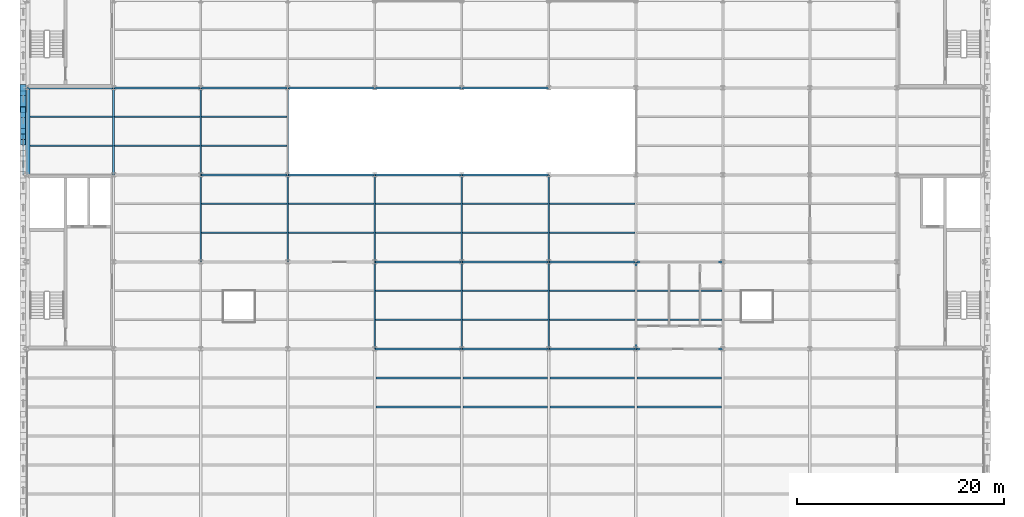
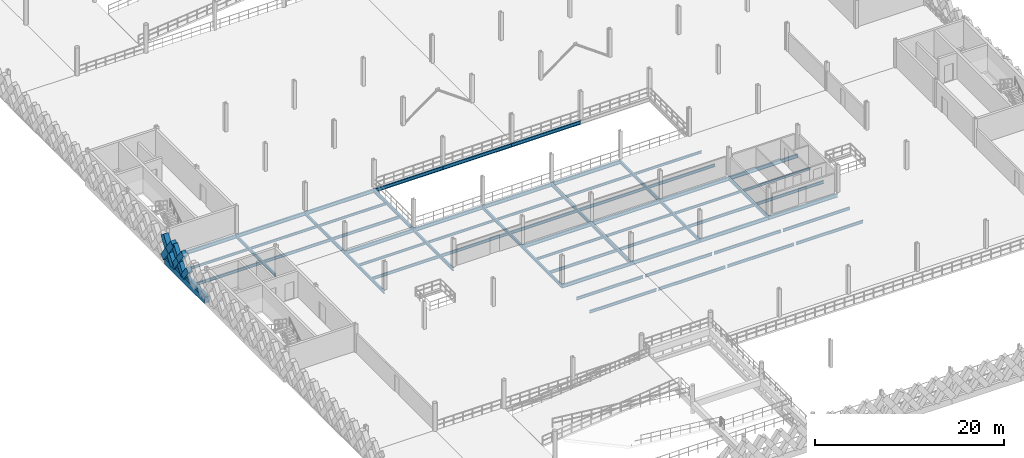
# One storey, part 18 of 62: 63 beams, 8 members.
"""IFC4 building model written with IfcOpenShell, lengths in metres."""

from ifc_helpers import new_model, si_unit, direction, frame, origin, origin_2d, place, context, subcontext, project, spatial, rectangle, hollow_rectangle, i_section, extrude, material, material_profile, profile_set, type_object, element, save


model = new_model("IFC4")

# Units and contexts
model_context = context("Model", 3, precision=1e-05, world=origin(), true_north=direction((0.0, 1.0)))
body_context = subcontext(model_context, "Body", "Model", "MODEL_VIEW")
ifc_project = project(units=[si_unit("LENGTHUNIT", "METRE"), si_unit("AREAUNIT", "SQUARE_METRE"), si_unit("VOLUMEUNIT", "CUBIC_METRE"), si_unit("PLANEANGLEUNIT", "RADIAN"), si_unit("MASSUNIT", "GRAM", prefix="KILO"), si_unit("THERMODYNAMICTEMPERATUREUNIT", "KELVIN"), si_unit("POWERUNIT", "WATT")], contexts=[model_context])

# Site, building, storey
site_placement = place(None, origin())
site = spatial("IfcSite", under=ifc_project, at=site_placement, CompositionType="ELEMENT")
building_placement = place(site_placement, origin())
building = spatial("IfcBuilding", under=site, at=building_placement, Name="Tembeka Court Mobility Hub", CompositionType="ELEMENT")
storey_placement = place(building_placement, frame((0.0, 0.0, 16.199951171875)))
storey = spatial("IfcBuildingStorey", under=building, at=storey_placement, Name="L04", CompositionType="ELEMENT", Elevation=16.199951171875)

# Beams
ifc_material_1 = material(Name="Steel S355", Category="steel")
ifc_material_profile_1 = material_profile(ifc_material_1, i_section(OverallWidth=0.18994140625, OverallDepth=0.45703125, WebThickness=0.009033203125, FlangeThickness=0.014404296875, FilletRadius=0.01025390625, at=origin_2d()), Name="UKB 457x191x74")
ifc_profile_set_1 = profile_set([ifc_material_profile_1], Name="Steel S355")
beam_type_1 = type_object("IfcBeamType", Name="BM-B01", PredefinedType="BEAM", material=ifc_profile_set_1)
for number, where, z_axis, x_axis, name in (
    (1, (33.60009765625, 38.39990234375, -0.448486328125), (1.0, 0.0, 0.0), (0.0, 1.0, 0.0), "Beam B01 (BM-L04-X2225)"),
    (2, (42.0, 38.39990234375, -0.448486328125), (1.0, 0.0, 0.0), (0.0, 1.0, 0.0), "Beam B01 (BM-L04-X2226)"),
):
    element("IfcBeam", number, at=place(storey_placement, frame(where, z_axis=z_axis, x_axis=x_axis)), inside=storey, type_object=beam_type_1, Name=name, PredefinedType="BEAM", context=body_context, shape_type="SweptSolid", body=[
        extrude(i_section(OverallWidth=0.18994140625, OverallDepth=0.45703125, WebThickness=0.009033203125, FlangeThickness=0.014404296875, FilletRadius=0.01025390625, at=origin_2d()), origin(), (0.0, 0.0, 1.0), 8.39990234375),
    ])
beam_1_placement = place(storey_placement, frame((50.39990234375, 38.39990234375, -0.448486328125), z_axis=(1.0, 0.0, 0.0), x_axis=(0.0, 1.0, 0.0)))
element("IfcBeam", 3, at=beam_1_placement, inside=storey, type_object=beam_type_1, Name="Beam B01 (BM-L04-X2227)", PredefinedType="BEAM", context=body_context, shape_type="SweptSolid", body=[
    extrude(i_section(OverallWidth=0.18994140625, OverallDepth=0.45703125, WebThickness=0.009033203125, FlangeThickness=0.014404296875, FilletRadius=0.01025390625, at=origin_2d()), origin(), (0.0, 0.0, 1.0), 8.400146484375),
])
for number, where, z_axis, x_axis, name in (
    (4, (58.800048828125, 38.39990234375, -0.448486328125), (1.0, 0.0, 0.0), (0.0, 1.0, 0.0), "Beam B01 (BM-L04-X2228)"),
    (5, (33.60009765625, 46.800048828125, -0.448486328125), (1.0, 0.0, 0.0), (0.0, 1.0, 0.0), "Beam B01 (BM-L04-X2237)"),
    (6, (42.0, 46.800048828125, -0.448486328125), (1.0, 0.0, 0.0), (0.0, 1.0, 0.0), "Beam B01 (BM-L04-X2238)"),
):
    element("IfcBeam", number, at=place(storey_placement, frame(where, z_axis=z_axis, x_axis=x_axis)), inside=storey, type_object=beam_type_1, Name=name, PredefinedType="BEAM", context=body_context, shape_type="SweptSolid", body=[
        extrude(i_section(OverallWidth=0.18994140625, OverallDepth=0.45703125, WebThickness=0.009033203125, FlangeThickness=0.014404296875, FilletRadius=0.01025390625, at=origin_2d()), origin(), (0.0, 0.0, 1.0), 8.39990234375),
    ])
beam_2_placement = place(storey_placement, frame((50.39990234375, 46.800048828125, -0.448486328125), z_axis=(1.0, 0.0, 0.0), x_axis=(0.0, 1.0, 0.0)))
element("IfcBeam", 7, at=beam_2_placement, inside=storey, type_object=beam_type_1, Name="Beam B01 (BM-L04-X2239)", PredefinedType="BEAM", context=body_context, shape_type="SweptSolid", body=[
    extrude(i_section(OverallWidth=0.18994140625, OverallDepth=0.45703125, WebThickness=0.009033203125, FlangeThickness=0.014404296875, FilletRadius=0.01025390625, at=origin_2d()), origin(), (0.0, 0.0, 1.0), 8.400146484375),
])
for number, where, z_axis, x_axis, name in (
    (8, (58.800048828125, 46.800048828125, -0.448486328125), (1.0, 0.0, 0.0), (0.0, 1.0, 0.0), "Beam B01 (BM-L04-X2240)"),
    (9, (16.800048828125, 55.199951171875, -0.448486328125), (1.0, 0.0, 0.0), (0.0, 1.0, 0.0), "Beam B01 (BM-L04-X2247)"),
):
    element("IfcBeam", number, at=place(storey_placement, frame(where, z_axis=z_axis, x_axis=x_axis)), inside=storey, type_object=beam_type_1, Name=name, PredefinedType="BEAM", context=body_context, shape_type="SweptSolid", body=[
        extrude(i_section(OverallWidth=0.18994140625, OverallDepth=0.45703125, WebThickness=0.009033203125, FlangeThickness=0.014404296875, FilletRadius=0.01025390625, at=origin_2d()), origin(), (0.0, 0.0, 1.0), 8.39990234375),
    ])
beam_3_placement = place(storey_placement, frame((25.199951171875, 55.199951171875, -0.448486328125), z_axis=(1.0, 0.0, 0.0), x_axis=(0.0, 1.0, 0.0)))
element("IfcBeam", 10, at=beam_3_placement, inside=storey, type_object=beam_type_1, Name="Beam B01 (BM-L04-X2248)", PredefinedType="BEAM", context=body_context, shape_type="SweptSolid", body=[
    extrude(i_section(OverallWidth=0.18994140625, OverallDepth=0.45703125, WebThickness=0.009033203125, FlangeThickness=0.014404296875, FilletRadius=0.01025390625, at=origin_2d()), origin(), (0.0, 0.0, 1.0), 8.400146484375),
])
for number, where, z_axis, x_axis, name in (
    (11, (33.60009765625, 55.199951171875, -0.448486328125), (1.0, 0.0, 0.0), (0.0, 1.0, 0.0), "Beam B01 (BM-L04-X2249)"),
    (12, (42.0, 55.199951171875, -0.448486328125), (1.0, 0.0, 0.0), (0.0, 1.0, 0.0), "Beam B01 (BM-L04-X2250)"),
    (13, (0.0, 63.60009765625, -0.448486328125), (1.0, 0.0, 0.0), (0.0, 1.0, 0.0), "Beam B01 (BM-L04-X2257)"),
):
    element("IfcBeam", number, at=place(storey_placement, frame(where, z_axis=z_axis, x_axis=x_axis)), inside=storey, type_object=beam_type_1, Name=name, PredefinedType="BEAM", context=body_context, shape_type="SweptSolid", body=[
        extrude(i_section(OverallWidth=0.18994140625, OverallDepth=0.45703125, WebThickness=0.009033203125, FlangeThickness=0.014404296875, FilletRadius=0.01025390625, at=origin_2d()), origin(), (0.0, 0.0, 1.0), 8.39990234375),
    ])
beam_4_placement = place(storey_placement, frame((8.39990234375, 63.60009765625, -0.448486328125), z_axis=(1.0, 0.0, 0.0), x_axis=(0.0, 1.0, 0.0)))
element("IfcBeam", 14, at=beam_4_placement, inside=storey, type_object=beam_type_1, Name="Beam B01 (BM-L04-X2258)", PredefinedType="BEAM", context=body_context, shape_type="SweptSolid", body=[
    extrude(i_section(OverallWidth=0.18994140625, OverallDepth=0.45703125, WebThickness=0.009033203125, FlangeThickness=0.014404296875, FilletRadius=0.01025390625, at=origin_2d()), origin(), (0.0, 0.0, 1.0), 8.400146484375),
])
beam_5_placement = place(storey_placement, frame((16.800048828125, 63.60009765625, -0.448486328125), z_axis=(1.0, 0.0, 0.0), x_axis=(0.0, 1.0, 0.0)))
element("IfcBeam", 15, at=beam_5_placement, inside=storey, type_object=beam_type_1, Name="Beam B01 (BM-L04-X2259)", PredefinedType="BEAM", context=body_context, shape_type="SweptSolid", body=[
    extrude(i_section(OverallWidth=0.18994140625, OverallDepth=0.45703125, WebThickness=0.009033203125, FlangeThickness=0.014404296875, FilletRadius=0.01025390625, at=origin_2d()), origin(), (0.0, 0.0, 1.0), 8.39990234375),
])
beam_6_placement = place(storey_placement, frame((25.199951171875, 63.60009765625, -0.448486328125), z_axis=(1.0, 0.0, 0.0), x_axis=(0.0, 1.0, 0.0)))
element("IfcBeam", 16, at=beam_6_placement, inside=storey, type_object=beam_type_1, Name="Beam B01 (BM-L04-X2260)", PredefinedType="BEAM", context=body_context, shape_type="SweptSolid", body=[
    extrude(i_section(OverallWidth=0.18994140625, OverallDepth=0.45703125, WebThickness=0.009033203125, FlangeThickness=0.014404296875, FilletRadius=0.01025390625, at=origin_2d()), origin(), (0.0, 0.0, 1.0), 8.400146484375),
])
for number, where, z_axis, x_axis, name in (
    (17, (33.60009765625, 63.60009765625, -0.448486328125), (1.0, 0.0, 0.0), (0.0, 1.0, 0.0), "Beam B01 (BM-L04-X2261)"),
    (18, (42.0, 63.60009765625, -0.448486328125), (1.0, 0.0, 0.0), (0.0, 1.0, 0.0), "Beam B01 (BM-L04-X2262)"),
):
    element("IfcBeam", number, at=place(storey_placement, frame(where, z_axis=z_axis, x_axis=x_axis)), inside=storey, type_object=beam_type_1, Name=name, PredefinedType="BEAM", context=body_context, shape_type="SweptSolid", body=[
        extrude(i_section(OverallWidth=0.18994140625, OverallDepth=0.45703125, WebThickness=0.009033203125, FlangeThickness=0.014404296875, FilletRadius=0.01025390625, at=origin_2d()), origin(), (0.0, 0.0, 1.0), 8.39990234375),
    ])
ifc_material_profile_2 = material_profile(ifc_material_1, i_section(OverallWidth=0.177978515625, OverallDepth=0.406005859375, WebThickness=0.0078125, FlangeThickness=0.0126953125, FilletRadius=0.01025390625, at=origin_2d()), Name="UKB 406x178x60")
ifc_profile_set_2 = profile_set([ifc_material_profile_2], Name="Steel S355")
beam_type_2 = type_object("IfcBeamType", Name="BM-B02", PredefinedType="BEAM", material=ifc_profile_set_2)
beam_7_placement = place(storey_placement, frame((8.39990234375, 55.199951171875, -0.4228515625), z_axis=(0.0, 1.0, 0.0), x_axis=(-1.0, 0.0, 0.0)))
element("IfcBeam", 19, at=beam_7_placement, inside=storey, type_object=beam_type_2, Name="Beam B02 (BM-L04-Y2329)", PredefinedType="BEAM", context=body_context, shape_type="SweptSolid", body=[
    extrude(i_section(OverallWidth=0.177978515625, OverallDepth=0.406005859375, WebThickness=0.0078125, FlangeThickness=0.0126953125, FilletRadius=0.01025390625, at=origin_2d()), origin(), (0.0, 0.0, 1.0), 8.400146484375),
])
beam_8_placement = place(storey_placement, frame((16.800048828125, 46.800048828125, -0.4228515625), z_axis=(0.0, 1.0, 0.0), x_axis=(-1.0, 0.0, 0.0)))
element("IfcBeam", 20, at=beam_8_placement, inside=storey, type_object=beam_type_2, Name="Beam B02 (BM-L04-Y2339)", PredefinedType="BEAM", context=body_context, shape_type="SweptSolid", body=[
    extrude(i_section(OverallWidth=0.177978515625, OverallDepth=0.406005859375, WebThickness=0.0078125, FlangeThickness=0.0126953125, FilletRadius=0.01025390625, at=origin_2d()), origin(), (0.0, 0.0, 1.0), 8.39990234375),
])
beam_9_placement = place(storey_placement, frame((16.800048828125, 55.199951171875, -0.4228515625), z_axis=(0.0, 1.0, 0.0), x_axis=(-1.0, 0.0, 0.0)))
element("IfcBeam", 21, at=beam_9_placement, inside=storey, type_object=beam_type_2, Name="Beam B02 (BM-L04-Y2340)", PredefinedType="BEAM", context=body_context, shape_type="SweptSolid", body=[
    extrude(i_section(OverallWidth=0.177978515625, OverallDepth=0.406005859375, WebThickness=0.0078125, FlangeThickness=0.0126953125, FilletRadius=0.01025390625, at=origin_2d()), origin(), (0.0, 0.0, 1.0), 8.400146484375),
])
beam_10_placement = place(storey_placement, frame((25.199951171875, 46.800048828125, -0.4228515625), z_axis=(0.0, 1.0, 0.0), x_axis=(-1.0, 0.0, 0.0)))
element("IfcBeam", 22, at=beam_10_placement, inside=storey, type_object=beam_type_2, Name="Beam B02 (BM-L04-Y2348)", PredefinedType="BEAM", context=body_context, shape_type="SweptSolid", body=[
    extrude(i_section(OverallWidth=0.177978515625, OverallDepth=0.406005859375, WebThickness=0.0078125, FlangeThickness=0.0126953125, FilletRadius=0.01025390625, at=origin_2d()), origin(), (0.0, 0.0, 1.0), 8.39990234375),
])
for number, where, z_axis, x_axis, name in (
    (23, (25.199951171875, 55.199951171875, -0.4228515625), (0.0, 1.0, 0.0), (-1.0, 0.0, 0.0), "Beam B02 (BM-L04-Y2349)"),
    (24, (33.60009765625, 38.39990234375, -0.4228515625), (0.0, 1.0, 0.0), (-1.0, 0.0, 0.0), "Beam B02 (BM-L04-Y2354)"),
):
    element("IfcBeam", number, at=place(storey_placement, frame(where, z_axis=z_axis, x_axis=x_axis)), inside=storey, type_object=beam_type_2, Name=name, PredefinedType="BEAM", context=body_context, shape_type="SweptSolid", body=[
        extrude(i_section(OverallWidth=0.177978515625, OverallDepth=0.406005859375, WebThickness=0.0078125, FlangeThickness=0.0126953125, FilletRadius=0.01025390625, at=origin_2d()), origin(), (0.0, 0.0, 1.0), 8.400146484375),
    ])
beam_11_placement = place(storey_placement, frame((33.60009765625, 46.800048828125, -0.4228515625), z_axis=(0.0, 1.0, 0.0), x_axis=(-1.0, 0.0, 0.0)))
element("IfcBeam", 25, at=beam_11_placement, inside=storey, type_object=beam_type_2, Name="Beam B02 (BM-L04-Y2355)", PredefinedType="BEAM", context=body_context, shape_type="SweptSolid", body=[
    extrude(i_section(OverallWidth=0.177978515625, OverallDepth=0.406005859375, WebThickness=0.0078125, FlangeThickness=0.0126953125, FilletRadius=0.01025390625, at=origin_2d()), origin(), (0.0, 0.0, 1.0), 8.39990234375),
])
beam_12_placement = place(storey_placement, frame((42.0, 38.39990234375, -0.4228515625), z_axis=(0.0, 1.0, 0.0), x_axis=(-1.0, 0.0, 0.0)))
element("IfcBeam", 26, at=beam_12_placement, inside=storey, type_object=beam_type_2, Name="Beam B02 (BM-L04-Y2362)", PredefinedType="BEAM", context=body_context, shape_type="SweptSolid", body=[
    extrude(i_section(OverallWidth=0.177978515625, OverallDepth=0.406005859375, WebThickness=0.0078125, FlangeThickness=0.0126953125, FilletRadius=0.01025390625, at=origin_2d()), origin(), (0.0, 0.0, 1.0), 8.400146484375),
])
beam_13_placement = place(storey_placement, frame((42.0, 46.800048828125, -0.4228515625), z_axis=(0.0, 1.0, 0.0), x_axis=(-1.0, 0.0, 0.0)))
element("IfcBeam", 27, at=beam_13_placement, inside=storey, type_object=beam_type_2, Name="Beam B02 (BM-L04-Y2363)", PredefinedType="BEAM", context=body_context, shape_type="SweptSolid", body=[
    extrude(i_section(OverallWidth=0.177978515625, OverallDepth=0.406005859375, WebThickness=0.0078125, FlangeThickness=0.0126953125, FilletRadius=0.01025390625, at=origin_2d()), origin(), (0.0, 0.0, 1.0), 8.39990234375),
])
beam_14_placement = place(storey_placement, frame((50.39990234375, 38.39990234375, -0.4228515625), z_axis=(0.0, 1.0, 0.0), x_axis=(-1.0, 0.0, 0.0)))
element("IfcBeam", 28, at=beam_14_placement, inside=storey, type_object=beam_type_2, Name="Beam B02 (BM-L04-Y2370)", PredefinedType="BEAM", context=body_context, shape_type="SweptSolid", body=[
    extrude(i_section(OverallWidth=0.177978515625, OverallDepth=0.406005859375, WebThickness=0.0078125, FlangeThickness=0.0126953125, FilletRadius=0.01025390625, at=origin_2d()), origin(), (0.0, 0.0, 1.0), 8.400146484375),
])
beam_15_placement = place(storey_placement, frame((50.39990234375, 46.800048828125, -0.4228515625), z_axis=(0.0, 1.0, 0.0), x_axis=(-1.0, 0.0, 0.0)))
element("IfcBeam", 29, at=beam_15_placement, inside=storey, type_object=beam_type_2, Name="Beam B02 (BM-L04-Y2371)", PredefinedType="BEAM", context=body_context, shape_type="SweptSolid", body=[
    extrude(i_section(OverallWidth=0.177978515625, OverallDepth=0.406005859375, WebThickness=0.0078125, FlangeThickness=0.0126953125, FilletRadius=0.01025390625, at=origin_2d()), origin(), (0.0, 0.0, 1.0), 8.39990234375),
])
beam_16_placement = place(storey_placement, frame((58.800048828125, 38.39990234375, -0.4228515625), z_axis=(0.0, 1.0, 0.0), x_axis=(-1.0, 0.0, 0.0)))
element("IfcBeam", 30, at=beam_16_placement, inside=storey, type_object=beam_type_2, Name="Beam B02 (BM-L04-Y2376)", PredefinedType="BEAM", context=body_context, shape_type="SweptSolid", body=[
    extrude(i_section(OverallWidth=0.177978515625, OverallDepth=0.406005859375, WebThickness=0.0078125, FlangeThickness=0.0126953125, FilletRadius=0.01025390625, at=origin_2d()), origin(), (0.0, 0.0, 1.0), 8.400146484375),
])
ifc_material_profile_3 = material_profile(ifc_material_1, i_section(OverallWidth=0.172119140625, OverallDepth=0.35498046875, WebThickness=0.00732421875, FlangeThickness=0.011474609375, FilletRadius=0.01025390625, at=origin_2d()), Name="UKB 356x171x51")
ifc_profile_set_3 = profile_set([ifc_material_profile_3], Name="Steel S355")
beam_type_3 = type_object("IfcBeamType", Name="BM-J01", PredefinedType="JOIST", material=ifc_profile_set_3)
for number, where, z_axis, x_axis, name in (
    (31, (33.721923828125, 32.800048828125, -0.3974609375), (1.0, 0.0, 0.0), (0.0, 1.0, 0.0), "Beam J01 (JST-L04-2511)"),
    (32, (33.721923828125, 35.60009765625, -0.3974609375), (1.0, 0.0, 0.0), (0.0, 1.0, 0.0), "Beam J01 (JST-L04-2512)"),
    (33, (42.1220703125, 32.800048828125, -0.3974609375), (1.0, 0.0, 0.0), (0.0, 1.0, 0.0), "Beam J01 (JST-L04-2529)"),
    (34, (42.1220703125, 35.60009765625, -0.3974609375), (1.0, 0.0, 0.0), (0.0, 1.0, 0.0), "Beam J01 (JST-L04-2530)"),
    (35, (50.52197265625, 32.800048828125, -0.3974609375), (1.0, 0.0, 0.0), (0.0, 1.0, 0.0), "Beam J01 (JST-L04-2547)"),
    (36, (50.52197265625, 35.60009765625, -0.3974609375), (1.0, 0.0, 0.0), (0.0, 1.0, 0.0), "Beam J01 (JST-L04-2548)"),
):
    element("IfcBeam", number, at=place(storey_placement, frame(where, z_axis=z_axis, x_axis=x_axis)), inside=storey, type_object=beam_type_3, Name=name, PredefinedType="JOIST", context=body_context, shape_type="SweptSolid", body=[
        extrude(i_section(OverallWidth=0.172119140625, OverallDepth=0.35498046875, WebThickness=0.00732421875, FlangeThickness=0.011474609375, FilletRadius=0.01025390625, at=origin_2d()), origin(), (0.0, 0.0, 1.0), 8.156005859375),
    ])
for number, where, z_axis, x_axis, name in (
    (37, (58.922119140625, 32.800048828125, -0.3974609375), (1.0, 0.0, 0.0), (0.0, 1.0, 0.0), "Beam J01 (JST-L04-2565)"),
    (38, (58.922119140625, 35.60009765625, -0.3974609375), (1.0, 0.0, 0.0), (0.0, 1.0, 0.0), "Beam J01 (JST-L04-2566)"),
):
    element("IfcBeam", number, at=place(storey_placement, frame(where, z_axis=z_axis, x_axis=x_axis)), inside=storey, type_object=beam_type_3, Name=name, PredefinedType="JOIST", context=body_context, shape_type="SweptSolid", body=[
        extrude(i_section(OverallWidth=0.172119140625, OverallDepth=0.35498046875, WebThickness=0.00732421875, FlangeThickness=0.011474609375, FilletRadius=0.01025390625, at=origin_2d()), origin(), (0.0, 0.0, 1.0), 8.15576171875),
    ])
ifc_material_profile_4 = material_profile(ifc_material_1, i_section(OverallWidth=0.1650390625, OverallDepth=0.303955078125, WebThickness=0.006103515625, FlangeThickness=0.01025390625, FilletRadius=0.0087890625, at=origin_2d()), Name="UKB 305x165x40")
ifc_profile_set_4 = profile_set([ifc_material_profile_4], Name="Steel S355")
beam_type_4 = type_object("IfcBeamType", Name="BM-J02", PredefinedType="JOIST", material=ifc_profile_set_4)
beam_17_placement = place(storey_placement, frame((0.320068359375, 60.800048828125, -0.3720703125), z_axis=(1.0, 0.0, 0.0), x_axis=(0.0, 1.0, 0.0)))
element("IfcBeam", 39, at=beam_17_placement, inside=storey, type_object=beam_type_4, Name="Beam J02 (JST-L04-2444)", PredefinedType="JOIST", context=body_context, shape_type="SweptSolid", body=[
    extrude(i_section(OverallWidth=0.1650390625, OverallDepth=0.303955078125, WebThickness=0.006103515625, FlangeThickness=0.01025390625, FilletRadius=0.0087890625, at=origin_2d()), origin(), (0.0, 0.0, 1.0), 7.995849609375),
])
beam_18_placement = place(storey_placement, frame((8.48388671875, 60.800048828125, -0.3720703125), z_axis=(1.0, 0.0, 0.0), x_axis=(0.0, 1.0, 0.0)))
element("IfcBeam", 40, at=beam_18_placement, inside=storey, type_object=beam_type_4, Name="Beam J02 (JST-L04-2460)", PredefinedType="JOIST", context=body_context, shape_type="SweptSolid", body=[
    extrude(i_section(OverallWidth=0.1650390625, OverallDepth=0.303955078125, WebThickness=0.006103515625, FlangeThickness=0.01025390625, FilletRadius=0.0087890625, at=origin_2d()), origin(), (0.0, 0.0, 1.0), 8.232177734375),
])
for number, where, z_axis, x_axis, name in (
    (41, (16.884033203125, 52.39990234375, -0.3720703125), (1.0, 0.0, 0.0), (0.0, 1.0, 0.0), "Beam J02 (JST-L04-2478)"),
    (42, (16.884033203125, 60.800048828125, -0.3720703125), (1.0, 0.0, 0.0), (0.0, 1.0, 0.0), "Beam J02 (JST-L04-2480)"),
):
    element("IfcBeam", number, at=place(storey_placement, frame(where, z_axis=z_axis, x_axis=x_axis)), inside=storey, type_object=beam_type_4, Name=name, PredefinedType="JOIST", context=body_context, shape_type="SweptSolid", body=[
        extrude(i_section(OverallWidth=0.1650390625, OverallDepth=0.303955078125, WebThickness=0.006103515625, FlangeThickness=0.01025390625, FilletRadius=0.0087890625, at=origin_2d()), origin(), (0.0, 0.0, 1.0), 8.23193359375),
    ])
beam_19_placement = place(storey_placement, frame((25.283935546875, 52.39990234375, -0.3720703125), z_axis=(1.0, 0.0, 0.0), x_axis=(0.0, 1.0, 0.0)))
element("IfcBeam", 43, at=beam_19_placement, inside=storey, type_object=beam_type_4, Name="Beam J02 (JST-L04-2498)", PredefinedType="JOIST", context=body_context, shape_type="SweptSolid", body=[
    extrude(i_section(OverallWidth=0.1650390625, OverallDepth=0.303955078125, WebThickness=0.006103515625, FlangeThickness=0.01025390625, FilletRadius=0.0087890625, at=origin_2d()), origin(), (0.0, 0.0, 1.0), 8.232177734375),
])
for number, where, z_axis, x_axis, name in (
    (44, (33.68408203125, 44.0, -0.3720703125), (1.0, 0.0, 0.0), (0.0, 1.0, 0.0), "Beam J02 (JST-L04-2514)"),
    (45, (33.68408203125, 52.39990234375, -0.3720703125), (1.0, 0.0, 0.0), (0.0, 1.0, 0.0), "Beam J02 (JST-L04-2516)"),
    (46, (42.083984375, 44.0, -0.3720703125), (1.0, 0.0, 0.0), (0.0, 1.0, 0.0), "Beam J02 (JST-L04-2532)"),
    (47, (42.083984375, 52.39990234375, -0.3720703125), (1.0, 0.0, 0.0), (0.0, 1.0, 0.0), "Beam J02 (JST-L04-2534)"),
):
    element("IfcBeam", number, at=place(storey_placement, frame(where, z_axis=z_axis, x_axis=x_axis)), inside=storey, type_object=beam_type_4, Name=name, PredefinedType="JOIST", context=body_context, shape_type="SweptSolid", body=[
        extrude(i_section(OverallWidth=0.1650390625, OverallDepth=0.303955078125, WebThickness=0.006103515625, FlangeThickness=0.01025390625, FilletRadius=0.0087890625, at=origin_2d()), origin(), (0.0, 0.0, 1.0), 8.23193359375),
    ])
for number, where, z_axis, x_axis, name in (
    (48, (50.48388671875, 44.0, -0.3720703125), (1.0, 0.0, 0.0), (0.0, 1.0, 0.0), "Beam J02 (JST-L04-2550)"),
    (49, (50.48388671875, 52.39990234375, -0.3720703125), (1.0, 0.0, 0.0), (0.0, 1.0, 0.0), "Beam J02 (JST-L04-2552)"),
):
    element("IfcBeam", number, at=place(storey_placement, frame(where, z_axis=z_axis, x_axis=x_axis)), inside=storey, type_object=beam_type_4, Name=name, PredefinedType="JOIST", context=body_context, shape_type="SweptSolid", body=[
        extrude(i_section(OverallWidth=0.1650390625, OverallDepth=0.303955078125, WebThickness=0.006103515625, FlangeThickness=0.01025390625, FilletRadius=0.0087890625, at=origin_2d()), origin(), (0.0, 0.0, 1.0), 8.232177734375),
    ])
beam_20_placement = place(storey_placement, frame((58.884033203125, 44.0, -0.3720703125), z_axis=(1.0, 0.0, 0.0), x_axis=(0.0, 1.0, 0.0)))
element("IfcBeam", 50, at=beam_20_placement, inside=storey, type_object=beam_type_4, Name="Beam J02 (JST-L04-2568)", PredefinedType="JOIST", context=body_context, shape_type="SweptSolid", body=[
    extrude(i_section(OverallWidth=0.1650390625, OverallDepth=0.303955078125, WebThickness=0.006103515625, FlangeThickness=0.01025390625, FilletRadius=0.0087890625, at=origin_2d()), origin(), (0.0, 0.0, 1.0), 8.23193359375),
])
ifc_material_profile_5 = material_profile(ifc_material_1, i_section(OverallWidth=0.169921875, OverallDepth=0.360107421875, WebThickness=0.008056640625, FlangeThickness=0.0126953125, FilletRadius=0.01806640625, at=origin_2d()), Name="IPE 360")
ifc_profile_set_5 = profile_set([ifc_material_profile_5], Name="Steel S355")
beam_type_5 = type_object("IfcBeamType", Name="BM-J03", PredefinedType="JOIST", material=ifc_profile_set_5)
beam_21_placement = place(storey_placement, frame((0.320068359375, 58.0, -0.39990234375), z_axis=(1.0, 0.0, 0.0), x_axis=(0.0, 1.0, 0.0)))
element("IfcBeam", 51, at=beam_21_placement, inside=storey, type_object=beam_type_5, Name="Beam J03 (JST-L04-2443)", PredefinedType="JOIST", context=body_context, shape_type="SweptSolid", body=[
    extrude(i_section(OverallWidth=0.169921875, OverallDepth=0.360107421875, WebThickness=0.008056640625, FlangeThickness=0.0126953125, FilletRadius=0.01806640625, at=origin_2d()), origin(), (0.0, 0.0, 1.0), 7.995849609375),
])
beam_22_placement = place(storey_placement, frame((8.48388671875, 58.0, -0.39990234375), z_axis=(1.0, 0.0, 0.0), x_axis=(0.0, 1.0, 0.0)))
element("IfcBeam", 52, at=beam_22_placement, inside=storey, type_object=beam_type_5, Name="Beam J03 (JST-L04-2459)", PredefinedType="JOIST", context=body_context, shape_type="SweptSolid", body=[
    extrude(i_section(OverallWidth=0.169921875, OverallDepth=0.360107421875, WebThickness=0.008056640625, FlangeThickness=0.0126953125, FilletRadius=0.01806640625, at=origin_2d()), origin(), (0.0, 0.0, 1.0), 8.232177734375),
])
for number, where, z_axis, x_axis, name in (
    (53, (16.884033203125, 49.60009765625, -0.39990234375), (1.0, 0.0, 0.0), (0.0, 1.0, 0.0), "Beam J03 (JST-L04-2477)"),
    (54, (16.884033203125, 58.0, -0.39990234375), (1.0, 0.0, 0.0), (0.0, 1.0, 0.0), "Beam J03 (JST-L04-2479)"),
):
    element("IfcBeam", number, at=place(storey_placement, frame(where, z_axis=z_axis, x_axis=x_axis)), inside=storey, type_object=beam_type_5, Name=name, PredefinedType="JOIST", context=body_context, shape_type="SweptSolid", body=[
        extrude(i_section(OverallWidth=0.169921875, OverallDepth=0.360107421875, WebThickness=0.008056640625, FlangeThickness=0.0126953125, FilletRadius=0.01806640625, at=origin_2d()), origin(), (0.0, 0.0, 1.0), 8.23193359375),
    ])
beam_23_placement = place(storey_placement, frame((25.283935546875, 49.60009765625, -0.39990234375), z_axis=(1.0, 0.0, 0.0), x_axis=(0.0, 1.0, 0.0)))
element("IfcBeam", 55, at=beam_23_placement, inside=storey, type_object=beam_type_5, Name="Beam J03 (JST-L04-2497)", PredefinedType="JOIST", context=body_context, shape_type="SweptSolid", body=[
    extrude(i_section(OverallWidth=0.169921875, OverallDepth=0.360107421875, WebThickness=0.008056640625, FlangeThickness=0.0126953125, FilletRadius=0.01806640625, at=origin_2d()), origin(), (0.0, 0.0, 1.0), 8.232177734375),
])
for number, where, z_axis, x_axis, name in (
    (56, (33.68408203125, 41.199951171875, -0.39990234375), (1.0, 0.0, 0.0), (0.0, 1.0, 0.0), "Beam J03 (JST-L04-2513)"),
    (57, (33.68408203125, 49.60009765625, -0.39990234375), (1.0, 0.0, 0.0), (0.0, 1.0, 0.0), "Beam J03 (JST-L04-2515)"),
    (58, (42.083984375, 41.199951171875, -0.39990234375), (1.0, 0.0, 0.0), (0.0, 1.0, 0.0), "Beam J03 (JST-L04-2531)"),
    (59, (42.083984375, 49.60009765625, -0.39990234375), (1.0, 0.0, 0.0), (0.0, 1.0, 0.0), "Beam J03 (JST-L04-2533)"),
):
    element("IfcBeam", number, at=place(storey_placement, frame(where, z_axis=z_axis, x_axis=x_axis)), inside=storey, type_object=beam_type_5, Name=name, PredefinedType="JOIST", context=body_context, shape_type="SweptSolid", body=[
        extrude(i_section(OverallWidth=0.169921875, OverallDepth=0.360107421875, WebThickness=0.008056640625, FlangeThickness=0.0126953125, FilletRadius=0.01806640625, at=origin_2d()), origin(), (0.0, 0.0, 1.0), 8.23193359375),
    ])
for number, where, z_axis, x_axis, name in (
    (60, (50.48388671875, 41.199951171875, -0.39990234375), (1.0, 0.0, 0.0), (0.0, 1.0, 0.0), "Beam J03 (JST-L04-2549)"),
    (61, (50.48388671875, 49.60009765625, -0.39990234375), (1.0, 0.0, 0.0), (0.0, 1.0, 0.0), "Beam J03 (JST-L04-2551)"),
):
    element("IfcBeam", number, at=place(storey_placement, frame(where, z_axis=z_axis, x_axis=x_axis)), inside=storey, type_object=beam_type_5, Name=name, PredefinedType="JOIST", context=body_context, shape_type="SweptSolid", body=[
        extrude(i_section(OverallWidth=0.169921875, OverallDepth=0.360107421875, WebThickness=0.008056640625, FlangeThickness=0.0126953125, FilletRadius=0.01806640625, at=origin_2d()), origin(), (0.0, 0.0, 1.0), 8.232177734375),
    ])
beam_24_placement = place(storey_placement, frame((58.884033203125, 41.199951171875, -0.39990234375), z_axis=(1.0, 0.0, 0.0), x_axis=(0.0, 1.0, 0.0)))
element("IfcBeam", 62, at=beam_24_placement, inside=storey, type_object=beam_type_5, Name="Beam J03 (JST-L04-2567)", PredefinedType="JOIST", context=body_context, shape_type="SweptSolid", body=[
    extrude(i_section(OverallWidth=0.169921875, OverallDepth=0.360107421875, WebThickness=0.008056640625, FlangeThickness=0.0126953125, FilletRadius=0.01806640625, at=origin_2d()), origin(), (0.0, 0.0, 1.0), 8.23193359375),
])
ifc_material_2 = material(Name="Precast concrete C45/55", Category="concrete")
ifc_material_profile_6 = material_profile(ifc_material_2, rectangle(XDim=0.64990234375, YDim=0.800048828125, at=origin_2d()), Name="PC-SP 650x800")
ifc_profile_set_6 = profile_set([ifc_material_profile_6], Name="Precast concrete C45/55")
beam_type_6 = type_object("IfcBeamType", Name="BM-SP01", PredefinedType="SPANDREL", material=ifc_profile_set_6)
beam_25_placement = place(storey_placement, frame((0.0, 55.199951171875, -0.619873046875), z_axis=(0.0, 1.0, 0.0), x_axis=(-1.0, 0.0, 0.0)))
element("IfcBeam", 63, at=beam_25_placement, inside=storey, type_object=beam_type_6, Name="Beam SP01 (BM-L04-Y2318)", PredefinedType="SPANDREL", context=body_context, shape_type="SweptSolid", body=[
    extrude(rectangle(XDim=0.64990234375, YDim=0.800048828125, at=origin_2d()), origin(), (0.0, 0.0, 1.0), 8.400146484375),
])

# Members
ifc_material_profile_7 = material_profile(ifc_material_2, rectangle(XDim=0.5, YDim=0.64990234375, at=origin_2d()), Name="PC-DIAG 500x650")
ifc_profile_set_7 = profile_set([ifc_material_profile_7], Name="Precast concrete C45/55")
member_type_1 = type_object("IfcMemberType", Name="MEM-DL01", PredefinedType="BRACE", material=ifc_profile_set_7)
member_1_placement = place(storey_placement, frame((-0.340087890625, 59.39990234375, 0.02001953125), z_axis=(0.0, -0.582454804382, 0.812863088627), x_axis=(1.0, 0.0, 0.0)))
element("IfcMember", 64, at=member_1_placement, inside=storey, type_object=member_type_1, Name="Precast diamond lattice split lower strand DL01 (L04-704D1)", PredefinedType="BRACE", context=body_context, shape_type="SweptSolid", body=[
    extrude(rectangle(XDim=0.5, YDim=0.64990234375, at=origin_2d()), origin(), (0.0, 0.0, 1.0), 1.802490234375),
])
member_2_placement = place(storey_placement, frame((-0.340087890625, 59.39990234375, 0.02001953125), z_axis=(0.0, 0.582576362011, 0.812775973086), x_axis=(-1.0, 0.0, 0.0)))
element("IfcMember", 65, at=member_2_placement, inside=storey, type_object=member_type_1, Name="Precast diamond lattice continuous strand DL01 (L04-705C)", PredefinedType="BRACE", context=body_context, shape_type="SweptSolid", body=[
    extrude(rectangle(XDim=0.5, YDim=0.64990234375, at=origin_2d()), origin(), (0.0, 0.0, 1.0), 3.604736328125),
])
member_3_placement = place(storey_placement, frame((-0.340087890625, 61.5, 0.02001953125), z_axis=(0.0, -0.582544294934, 0.812798956963), x_axis=(1.0, 0.0, 0.0)))
element("IfcMember", 66, at=member_3_placement, inside=storey, type_object=member_type_1, Name="Precast diamond lattice split lower strand DL01 (L04-705D1)", PredefinedType="BRACE", context=body_context, shape_type="SweptSolid", body=[
    extrude(rectangle(XDim=0.5, YDim=0.64990234375, at=origin_2d()), origin(), (0.0, 0.0, 1.0), 1.802490234375),
])
member_4_placement = place(storey_placement, frame((-0.340087890625, 60.449951171875, 1.485107421875), z_axis=(0.0, -0.582608431711, 0.812752985414), x_axis=(1.0, 0.0, 0.0)))
element("IfcMember", 67, at=member_4_placement, inside=storey, type_object=member_type_1, Name="Precast diamond lattice split upper strand DL01 (L04-705D2)", PredefinedType="BRACE", context=body_context, shape_type="SweptSolid", body=[
    extrude(rectangle(XDim=0.5, YDim=0.64990234375, at=origin_2d()), origin(), (0.0, 0.0, 1.0), 1.80224609375),
])
ifc_material_profile_8 = material_profile(ifc_material_2, rectangle(XDim=0.60009765625, YDim=0.75, at=origin_2d()), Name="PC-DIAG 600x750")
ifc_profile_set_8 = profile_set([ifc_material_profile_8], Name="Precast concrete C45/55")
member_type_2 = type_object("IfcMemberType", Name="MEM-DL02", PredefinedType="BRACE", material=ifc_profile_set_8)
member_5_placement = place(storey_placement, frame((-0.340087890625, 61.5, 0.02001953125), z_axis=(0.0, 0.582576362011, 0.812775973086), x_axis=(-1.0, 0.0, 0.0)))
element("IfcMember", 68, at=member_5_placement, inside=storey, type_object=member_type_2, Name="Precast diamond lattice continuous strand DL02 (L04-706C)", PredefinedType="BRACE", context=body_context, shape_type="SweptSolid", body=[
    extrude(rectangle(XDim=0.60009765625, YDim=0.75, at=origin_2d()), origin(), (0.0, 0.0, 1.0), 3.604736328125),
])
member_6_placement = place(storey_placement, frame((-0.340087890625, 63.60009765625, 0.02001953125), z_axis=(0.0, -0.582544294934, 0.812798956963), x_axis=(1.0, 0.0, 0.0)))
element("IfcMember", 69, at=member_6_placement, inside=storey, type_object=member_type_2, Name="Precast diamond lattice split lower strand DL02 (L04-706D1)", PredefinedType="BRACE", context=body_context, shape_type="SweptSolid", body=[
    extrude(rectangle(XDim=0.60009765625, YDim=0.75, at=origin_2d()), origin(), (0.0, 0.0, 1.0), 1.802490234375),
])
member_7_placement = place(storey_placement, frame((-0.340087890625, 62.550048828125, 1.485107421875), z_axis=(0.0, -0.582608431711, 0.812752985414), x_axis=(1.0, 0.0, 0.0)))
element("IfcMember", 70, at=member_7_placement, inside=storey, type_object=member_type_2, Name="Precast diamond lattice split upper strand DL02 (L04-706D2)", PredefinedType="BRACE", context=body_context, shape_type="SweptSolid", body=[
    extrude(rectangle(XDim=0.60009765625, YDim=0.75, at=origin_2d()), origin(), (0.0, 0.0, 1.0), 1.80224609375),
])
ifc_material_profile_9 = material_profile(ifc_material_1, hollow_rectangle(XDim=0.14990234375, YDim=0.300048828125, WallThickness=0.010009765625, at=origin_2d()), Name="RHS 300x150x10")
ifc_profile_set_9 = profile_set([ifc_material_profile_9], Name="Steel S355")
member_type_3 = type_object("IfcMemberType", Name="MEM-ST03", PredefinedType="STRUT", material=ifc_profile_set_9)
member_8_placement = place(storey_placement, frame((-0.340087890625, 55.199951171875, 0.02001953125), z_axis=(0.0, 1.0, 0.0), x_axis=(-1.0, 0.0, 0.0)))
element("IfcMember", 71, at=member_8_placement, inside=storey, type_object=member_type_3, Name="Proud lattice sill tie chord SR03 (L04-W-55)", PredefinedType="STRUT", context=body_context, shape_type="SweptSolid", body=[
    extrude(hollow_rectangle(XDim=0.14990234375, YDim=0.300048828125, WallThickness=0.010009765625, at=origin_2d()), origin(), (0.0, 0.0, 1.0), 8.400146484375),
])

save(model, "model.ifc")
